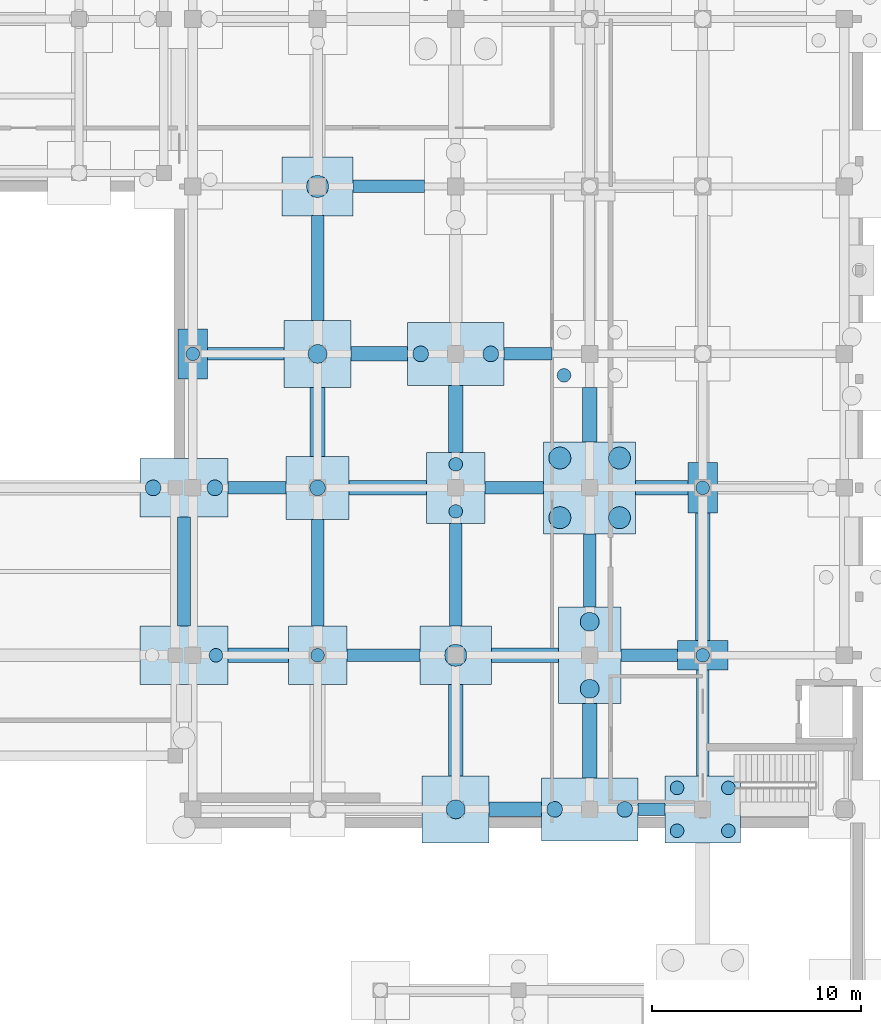
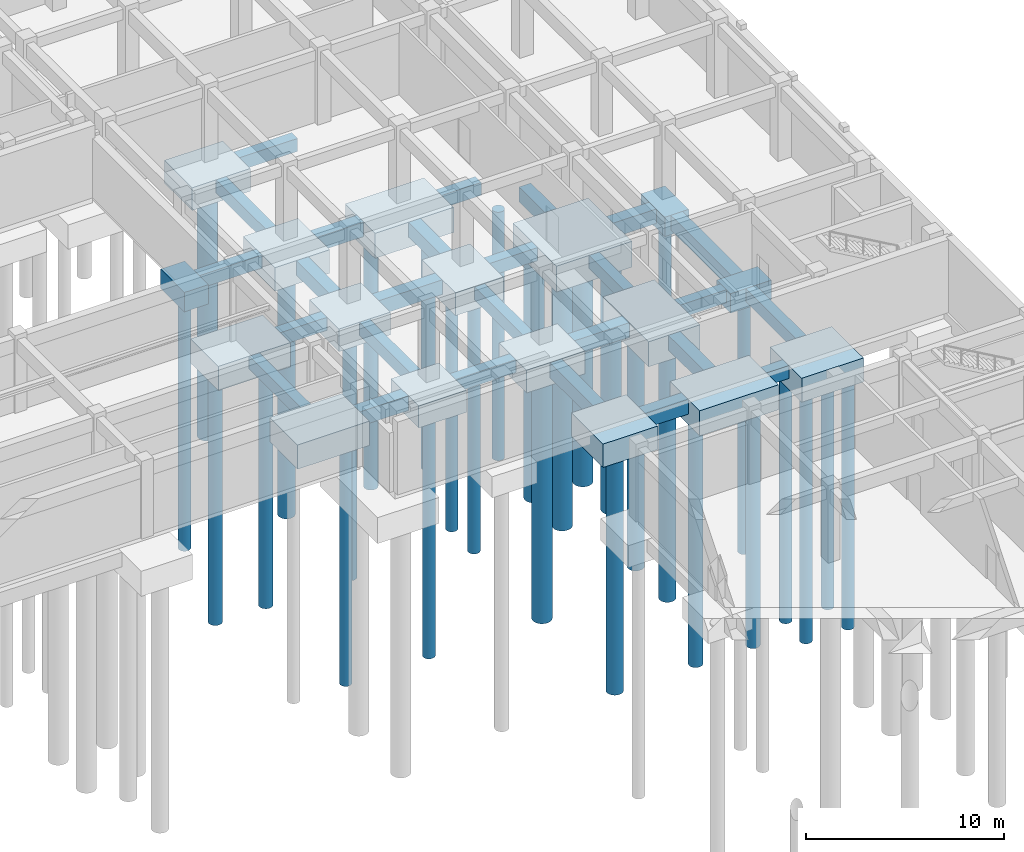
# One storey, part 10 of 35: 43 footings, 29 piles.
"""IFC4 building model written with IfcOpenShell, lengths in metres."""

import ifcopenshell
import ifcopenshell.guid

model = None  # the IFC model being written
_history = None  # IfcOwnerHistory: only IFC2X3 demands one
_inside = {}  # id of a spatial element -> (the spatial element, [elements in it])
_under = {}  # id of a project, library or spatial element -> (it, [spatial elements below it])
_declared = {}  # id of a project -> (the project, [libraries it declares])
_typed = {}  # id of a type object -> (the type object, [elements of that type])
_made_of = {}  # id of a material, layer set ... -> (it, [elements and type objects made of it])


def new_model(schema):
    """Start an empty IFC model of exactly this schema.

    Asked for "IFC4X3", IfcOpenShell would pick the latest addendum, in which some entities
    have other attributes; the version numbers below select the first issue.
    IFC2X3 requires an IfcOwnerHistory on every rooted entity: one is made here for all.
    """
    global model, _history
    if schema == "IFC4X3":
        model = ifcopenshell.file(schema_version=(4, 3, 0, 0))
    else:
        model = ifcopenshell.file(schema=schema)
    _inside.clear()
    _under.clear()
    _declared.clear()
    _typed.clear()
    _made_of.clear()
    _history = None
    if model.schema == "IFC2X3":
        org = make("IfcOrganization", Name="unknown")
        user = make(
            "IfcPersonAndOrganization",
            ThePerson=make("IfcPerson", FamilyName="unknown"),
            TheOrganization=org,
        )
        app = make(
            "IfcApplication",
            ApplicationDeveloper=org,
            Version="unknown",
            ApplicationFullName="unknown",
            ApplicationIdentifier="unknown",
        )
        _history = make(
            "IfcOwnerHistory",
            OwningUser=user,
            OwningApplication=app,
            ChangeAction="ADDED",
            CreationDate=0,
        )
    return model


def make(cls, **values):
    """One entity of the class cls with the attributes given. An attribute that is None is left unset."""
    return model.create_entity(
        cls, **{name: value for name, value in values.items() if value is not None}
    )


def rooted(cls, **values):
    """An entity with a GlobalId (a new one), such as an element, a storey or a relation."""
    return make(cls, GlobalId=ifcopenshell.guid.new(), OwnerHistory=_history, **values)


def si_unit(unit_type, name, prefix=None):
    """IfcSIUnit, for example si_unit("LENGTHUNIT", "METRE", prefix="MILLI")."""
    return make("IfcSIUnit", UnitType=unit_type, Prefix=prefix, Name=name)


def assignment(units):
    """IfcUnitAssignment: the units of a project."""
    return None if units is None else make("IfcUnitAssignment", Units=units)


def point(xyz):
    """IfcCartesianPoint."""
    return None if xyz is None else make("IfcCartesianPoint", Coordinates=xyz)


def direction(xyz):
    """IfcDirection."""
    return None if xyz is None else make("IfcDirection", DirectionRatios=xyz)


def frame(location, z_axis=None, x_axis=None):
    """IfcAxis2Placement3D, a coordinate frame: its origin and axes. An axis left out is left unset."""
    return make(
        "IfcAxis2Placement3D",
        Location=point(location),
        Axis=direction(z_axis),
        RefDirection=direction(x_axis),
    )


def frame_2d(location, x_axis=None):
    """IfcAxis2Placement2D, a coordinate frame in the plane: its origin and x axis."""
    return make(
        "IfcAxis2Placement2D", Location=point(location), RefDirection=direction(x_axis)
    )


def origin():
    """The frame at (0, 0, 0) with its axes left unset."""
    return frame((0.0, 0.0, 0.0))


def origin_2d():
    """The frame at (0, 0) in the plane with its x axis left unset."""
    return frame_2d((0.0, 0.0))


def place(relative_to, where):
    """IfcLocalPlacement: puts the frame where relative to a parent placement (None: the world)."""
    return make(
        "IfcLocalPlacement", PlacementRelTo=relative_to, RelativePlacement=where
    )


def context(
    kind, dimensions, precision=None, world=None, true_north=None, identifier=None
):
    """IfcGeometricRepresentationContext, for example the 3D "Model" context."""
    return make(
        "IfcGeometricRepresentationContext",
        ContextIdentifier=identifier,
        ContextType=kind,
        CoordinateSpaceDimension=dimensions,
        Precision=precision,
        WorldCoordinateSystem=world,
        TrueNorth=true_north,
    )


def subcontext(parent, identifier, kind, view, scale=None):
    """IfcGeometricRepresentationSubContext, for example "Body" below "Model"."""
    return make(
        "IfcGeometricRepresentationSubContext",
        ContextIdentifier=identifier,
        ContextType=kind,
        ParentContext=parent,
        TargetScale=scale,
        TargetView=view,
    )


def project(units=None, contexts=None):
    """IfcProject with its units and contexts."""
    return rooted(
        "IfcProject",
        Name="project",
        RepresentationContexts=contexts,
        UnitsInContext=assignment(units),
    )


def spatial(cls, under=None, at=None, **own):
    """A site, building, storey or space (cls), placed at a placement, below another one or the project."""
    s = rooted(cls, ObjectPlacement=at, **own)
    if under is not None:
        _under.setdefault(under.id(), (under, []))[1].append(s)
    return s


def polyline(points):
    """IfcPolyline through the points."""
    return make("IfcPolyline", Points=[point(p) for p in points])


def profile(cls, at=None, kind="AREA", **sizes):
    """A parametric profile (cls). Its sizes go by their IFC names, for example OverallWidth=200.0."""
    return make(cls, ProfileType=kind, Position=at, **sizes)


def rectangle(**sizes):
    """IfcRectangleProfileDef."""
    return profile("IfcRectangleProfileDef", **sizes)


def circle(**sizes):
    """IfcCircleProfileDef."""
    return profile("IfcCircleProfileDef", **sizes)


def outline(outer, holes=None, kind="AREA"):
    """IfcArbitraryClosedProfileDef: a profile drawn as a closed curve; with holes, ...WithVoids."""
    if holes is None:
        return make("IfcArbitraryClosedProfileDef", ProfileType=kind, OuterCurve=outer)
    return make(
        "IfcArbitraryProfileDefWithVoids",
        ProfileType=kind,
        OuterCurve=outer,
        InnerCurves=holes,
    )


def extrude(swept, where, along, depth):
    """IfcExtrudedAreaSolid: the profile swept, set in the frame where, extruded along a direction by depth."""
    return make(
        "IfcExtrudedAreaSolid",
        SweptArea=swept,
        Position=where,
        ExtrudedDirection=direction(along),
        Depth=depth,
    )


def shape(context_of_items, identifier, shape_type, items):
    """IfcShapeRepresentation: the items that make up one representation, for example the "Body"."""
    return make(
        "IfcShapeRepresentation",
        ContextOfItems=context_of_items,
        RepresentationIdentifier=identifier,
        RepresentationType=shape_type,
        Items=items,
    )


def material(Name=None, Category=None):
    """IfcMaterial."""
    return make("IfcMaterial", Name=Name, Category=Category)


def layer(
    of_material, thickness, ventilated=None, Name=None, Category=None, Priority=None
):
    """IfcMaterialLayer: one layer of a wall or slab, of a material (None: an air gap)."""
    return make(
        "IfcMaterialLayer",
        Material=of_material,
        LayerThickness=thickness,
        IsVentilated=ventilated,
        Name=Name,
        Category=Category,
        Priority=Priority,
    )


def layer_set(layers, Name=None):
    """IfcMaterialLayerSet."""
    return make("IfcMaterialLayerSet", MaterialLayers=layers, LayerSetName=Name)


def material_profile(
    of_material, cross_section, Name=None, Category=None, Priority=None
):
    """IfcMaterialProfile: a cross section and its material."""
    return make(
        "IfcMaterialProfile",
        Name=Name,
        Material=of_material,
        Profile=cross_section,
        Priority=Priority,
        Category=Category,
    )


def profile_set(profiles, Name=None, composite=None):
    """IfcMaterialProfileSet."""
    return make(
        "IfcMaterialProfileSet",
        Name=Name,
        MaterialProfiles=profiles,
        CompositeProfile=composite,
    )


def made_of(thing, what):
    """Note that an element or type object is made of a material, layer set ...; save() writes the relation."""
    if what is not None:
        _made_of.setdefault(what.id(), (what, []))[1].append(thing)
    return thing


def type_object(cls, material=None, **own):
    """A type object (cls), such as IfcWallType, which elements share."""
    return made_of(rooted(cls, **own), material)


def element(
    cls,
    number,
    at=None,
    inside=None,
    cuts=None,
    type_object=None,
    material=None,
    context=None,
    identifier="Body",
    shape_type=None,
    held_by="IfcProductDefinitionShape",
    body=None,
    shapes=None,
    **own,
):
    """One element of the class cls, such as IfcWall. Its Tag is "e" and its number.

    at: its placement. inside: the storey or other place that contains it. cuts: it is an
    opening in that element (IfcRelVoidsElement). A single representation is given by context,
    identifier, shape_type and body (its items); several are given by shapes. held_by: the class
    of the entity that holds the representations. save() writes the other relations.
    """
    e = rooted(cls, Tag="e%d" % number, ObjectPlacement=at, **own)
    if body is not None:
        shapes = [shape(context, identifier, shape_type, body)]
    if shapes is not None:
        e.Representation = make(held_by, Representations=shapes)
    if inside is not None:
        _inside.setdefault(inside.id(), (inside, []))[1].append(e)
    if cuts is not None:
        rooted(
            "IfcRelVoidsElement", RelatingBuildingElement=cuts, RelatedOpeningElement=e
        )
    if type_object is not None:
        _typed.setdefault(type_object.id(), (type_object, []))[1].append(e)
    return made_of(e, material)


def aggregate(whole, parts):
    """IfcRelAggregates: a whole, such as a stair, and the parts it consists of."""
    return rooted("IfcRelAggregates", RelatingObject=whole, RelatedObjects=parts)


def save(model, path):
    """Write the relations noted so far, then the file.

    IfcRelAggregates (storeys below a building ...), IfcRelContainedInSpatialStructure (elements
    in a storey), IfcRelDefinesByType, IfcRelAssociatesMaterial and IfcRelDeclares: one each for
    every whole, place, type object, material and project.
    """
    for whole, parts in _under.values():
        aggregate(whole, parts)
    for where, things in _inside.values():
        rooted(
            "IfcRelContainedInSpatialStructure",
            RelatedElements=things,
            RelatingStructure=where,
        )
    for kind, things in _typed.values():
        rooted("IfcRelDefinesByType", RelatedObjects=things, RelatingType=kind)
    for what, things in _made_of.values():
        rooted("IfcRelAssociatesMaterial", RelatedObjects=things, RelatingMaterial=what)
    for by, libraries in _declared.values():
        rooted("IfcRelDeclares", RelatingContext=by, RelatedDefinitions=libraries)
    model.write(path)


model = new_model("IFC4")

# Units and contexts
model_context = context("Model", 3, precision=1e-05, world=origin(), true_north=direction((0.0, 1.0)))
body_context = subcontext(model_context, "Body", "Model", "MODEL_VIEW")
ifc_project = project(units=[si_unit("LENGTHUNIT", "METRE"), si_unit("AREAUNIT", "SQUARE_METRE"), si_unit("VOLUMEUNIT", "CUBIC_METRE"), si_unit("PLANEANGLEUNIT", "RADIAN"), si_unit("MASSUNIT", "GRAM", prefix="KILO")], contexts=[model_context])

# Site, building, storey
site_placement = place(None, origin())
site = spatial("IfcSite", under=ifc_project, at=site_placement, CompositionType="ELEMENT")
building_placement = place(site_placement, origin())
building = spatial("IfcBuilding", under=site, at=building_placement, Name="Cinchona Park Media Centre", CompositionType="ELEMENT")
storey_placement = place(building_placement, frame((0.0, 0.0, -4.800048828125)))
storey = spatial("IfcBuildingStorey", under=building, at=storey_placement, Name="B1", CompositionType="ELEMENT", Elevation=-4.800048828125)

# Footings
ifc_material_1 = material(Name="Concrete C40/50", Category="concrete")
ifc_layer_1 = layer(ifc_material_1, 0.800048828125)
ifc_layer_set_1 = layer_set([ifc_layer_1], Name="Concrete C40/50")
footing_type_1 = type_object("IfcFootingType", Name="FTG-BEAM-FB01", PredefinedType="FOOTING_BEAM", material=ifc_layer_set_1)
footing_1_placement = place(storey_placement, frame((0.0, 0.0, -1.280029296875)))
element("IfcFooting", 1, at=footing_1_placement, inside=storey, type_object=footing_type_1, Name="Ground Tie Beam FB01", PredefinedType="FOOTING_BEAM", context=body_context, shape_type="SweptSolid", body=[
    extrude(outline(polyline([(161.5, 71.93994140625), (162.800048828125, 71.93994140625), (162.800048828125, 72.5400390625), (161.5, 72.5400390625), (161.5, 71.93994140625)])), origin(), (0.0, 0.0, 1.0), 0.800048828125),
])
footing_2_placement = place(storey_placement, frame((0.0, 0.0, -1.280029296875)))
element("IfcFooting", 2, at=footing_2_placement, inside=storey, type_object=footing_type_1, Name="Ground Tie Beam FB01", PredefinedType="FOOTING_BEAM", context=body_context, shape_type="SweptSolid", body=[
    extrude(outline(polyline([(147.60009765625, 79.300048828125), (151.10009765625, 79.300048828125), (151.10009765625, 79.89990234375), (147.60009765625, 79.89990234375), (147.60009765625, 79.300048828125)])), origin(), (0.0, 0.0, 1.0), 0.800048828125),
])
footing_3_placement = place(storey_placement, frame((0.0, 0.0, -1.280029296875)))
element("IfcFooting", 3, at=footing_3_placement, inside=storey, type_object=footing_type_1, Name="Ground Tie Beam FB01", PredefinedType="FOOTING_BEAM", context=body_context, shape_type="SweptSolid", body=[
    extrude(outline(polyline([(160.699951171875, 79.300048828125), (163.39990234375, 79.300048828125), (163.39990234375, 79.89990234375), (160.699951171875, 79.89990234375), (160.699951171875, 79.300048828125)])), origin(), (0.0, 0.0, 1.0), 0.800048828125),
])
footing_4_placement = place(storey_placement, frame((0.0, 0.0, -1.280029296875)))
element("IfcFooting", 4, at=footing_4_placement, inside=storey, type_object=footing_type_1, Name="Ground Tie Beam FB01", PredefinedType="FOOTING_BEAM", context=body_context, shape_type="SweptSolid", body=[
    extrude(outline(polyline([(141.919921875, 87.300048828125), (144.699951171875, 87.300048828125), (144.699951171875, 87.89990234375), (141.919921875, 87.89990234375), (141.919921875, 87.300048828125)])), origin(), (0.0, 0.0, 1.0), 0.800048828125),
])
footing_5_placement = place(storey_placement, frame((0.0, 0.0, -1.280029296875)))
element("IfcFooting", 5, at=footing_5_placement, inside=storey, type_object=footing_type_1, Name="Ground Tie Beam FB01", PredefinedType="FOOTING_BEAM", context=body_context, shape_type="SweptSolid", body=[
    extrude(outline(polyline([(154.199951171875, 87.300048828125), (157.0, 87.300048828125), (157.0, 87.89990234375), (154.199951171875, 87.89990234375), (154.199951171875, 87.300048828125)])), origin(), (0.0, 0.0, 1.0), 0.800048828125),
])
footing_6_placement = place(storey_placement, frame((0.0, 0.0, -1.280029296875)))
element("IfcFooting", 6, at=footing_6_placement, inside=storey, type_object=footing_type_1, Name="Ground Tie Beam FB01", PredefinedType="FOOTING_BEAM", context=body_context, shape_type="SweptSolid", body=[
    extrude(outline(polyline([(140.93994140625, 93.699951171875), (144.60009765625, 93.699951171875), (144.60009765625, 94.300048828125), (140.93994140625, 94.300048828125), (140.93994140625, 93.699951171875)])), origin(), (0.0, 0.0, 1.0), 0.800048828125),
])
footing_7_placement = place(storey_placement, frame((0.0, 0.0, -1.280029296875)))
element("IfcFooting", 7, at=footing_7_placement, inside=storey, type_object=footing_type_1, Name="Ground Tie Beam FB01", PredefinedType="FOOTING_BEAM", context=body_context, shape_type="SweptSolid", body=[
    extrude(outline(polyline([(155.10009765625, 93.699951171875), (157.39990234375, 93.699951171875), (157.39990234375, 94.300048828125), (155.10009765625, 94.300048828125), (155.10009765625, 93.699951171875)])), origin(), (0.0, 0.0, 1.0), 0.800048828125),
])
footing_8_placement = place(storey_placement, frame((0.0, 0.0, -1.280029296875)))
element("IfcFooting", 8, at=footing_8_placement, inside=storey, type_object=footing_type_1, Name="Ground Tie Beam FB01", PredefinedType="FOOTING_BEAM", context=body_context, shape_type="SweptSolid", body=[
    extrude(outline(polyline([(147.89990234375, 101.699951171875), (151.300048828125, 101.699951171875), (151.300048828125, 102.300048828125), (147.89990234375, 102.300048828125), (147.89990234375, 101.699951171875)])), origin(), (0.0, 0.0, 1.0), 0.800048828125),
])
footing_9_placement = place(storey_placement, frame((0.0, 0.0, -1.199951171875)))
element("IfcFooting", 9, at=footing_9_placement, inside=storey, type_object=footing_type_1, Name="Ground Tie Beam FB01", PredefinedType="FOOTING_BEAM", context=body_context, shape_type="SweptSolid", body=[
    extrude(outline(polyline([(139.52001953125, 81.0), (140.1201171875, 81.0), (140.1201171875, 86.199951171875), (139.52001953125, 86.199951171875), (139.52001953125, 81.0)])), origin(), (0.0, 0.0, 1.0), 0.800048828125),
])
footing_10_placement = place(storey_placement, frame((0.0, 0.0, -1.280029296875)))
element("IfcFooting", 10, at=footing_10_placement, inside=storey, type_object=footing_type_1, Name="Ground Tie Beam FB01", PredefinedType="FOOTING_BEAM", context=body_context, shape_type="SweptSolid", body=[
    extrude(outline(polyline([(145.89990234375, 81.0), (146.5, 81.0), (146.5, 86.10009765625), (145.89990234375, 86.10009765625), (145.89990234375, 81.0)])), origin(), (0.0, 0.0, 1.0), 0.800048828125),
])
footing_11_placement = place(storey_placement, frame((0.0, 0.0, -1.280029296875)))
element("IfcFooting", 11, at=footing_11_placement, inside=storey, type_object=footing_type_1, Name="Ground Tie Beam FB01", PredefinedType="FOOTING_BEAM", context=body_context, shape_type="SweptSolid", body=[
    extrude(outline(polyline([(145.89990234375, 95.60009765625), (146.5, 95.60009765625), (146.5, 100.60009765625), (145.89990234375, 100.60009765625), (145.89990234375, 95.60009765625)])), origin(), (0.0, 0.0, 1.0), 0.800048828125),
])
footing_12_placement = place(storey_placement, frame((0.0, 0.0, -1.280029296875)))
element("IfcFooting", 12, at=footing_12_placement, inside=storey, type_object=footing_type_1, Name="Ground Tie Beam FB01", PredefinedType="FOOTING_BEAM", context=body_context, shape_type="SweptSolid", body=[
    extrude(outline(polyline([(152.5, 81.0), (153.10009765625, 81.0), (153.10009765625, 85.89990234375), (152.5, 85.89990234375), (152.5, 81.0)])), origin(), (0.0, 0.0, 1.0), 0.800048828125),
])
footing_13_placement = place(storey_placement, frame((0.0, 0.0, -1.280029296875)))
element("IfcFooting", 13, at=footing_13_placement, inside=storey, type_object=footing_type_1, Name="Ground Tie Beam FB01", PredefinedType="FOOTING_BEAM", context=body_context, shape_type="SweptSolid", body=[
    extrude(outline(polyline([(158.89990234375, 81.89990234375), (159.5, 81.89990234375), (159.5, 85.39990234375), (158.89990234375, 85.39990234375), (158.89990234375, 81.89990234375)])), origin(), (0.0, 0.0, 1.0), 0.800048828125),
])
footing_14_placement = place(storey_placement, frame((0.0, 0.0, -1.280029296875)))
element("IfcFooting", 14, at=footing_14_placement, inside=storey, type_object=footing_type_1, Name="Ground Tie Beam FB01", PredefinedType="FOOTING_BEAM", context=body_context, shape_type="SweptSolid", body=[
    extrude(outline(polyline([(164.300048828125, 73.840087890625), (164.89990234375, 73.840087890625), (164.89990234375, 78.89990234375), (164.300048828125, 78.89990234375), (164.300048828125, 73.840087890625)])), origin(), (0.0, 0.0, 1.0), 0.800048828125),
])
ifc_material_2 = material(Name="Concrete C40/50", Category="concrete")
ifc_layer_2 = layer(ifc_material_2, 0.89990234375)
ifc_layer_set_2 = layer_set([ifc_layer_2], Name="Concrete C40/50")
footing_type_2 = type_object("IfcFootingType", Name="FTG-BEAM-FB02", PredefinedType="FOOTING_BEAM", material=ifc_layer_set_2)
footing_15_placement = place(storey_placement, frame((0.0, 0.0, -1.3798828125)))
element("IfcFooting", 15, at=footing_15_placement, inside=storey, type_object=footing_type_2, Name="Ground Tie Beam FB02", PredefinedType="FOOTING_BEAM", context=body_context, shape_type="SweptSolid", body=[
    extrude(outline(polyline([(154.39990234375, 71.889892578125), (156.89990234375, 71.889892578125), (156.89990234375, 72.590087890625), (154.39990234375, 72.590087890625), (154.39990234375, 71.889892578125)])), origin(), (0.0, 0.0, 1.0), 0.89990234375),
])
footing_16_placement = place(storey_placement, frame((0.0, 0.0, -1.3798828125)))
element("IfcFooting", 16, at=footing_16_placement, inside=storey, type_object=footing_type_2, Name="Ground Tie Beam FB02", PredefinedType="FOOTING_BEAM", context=body_context, shape_type="SweptSolid", body=[
    extrude(outline(polyline([(141.919921875, 79.25), (144.800048828125, 79.25), (144.800048828125, 79.949951171875), (141.919921875, 79.949951171875), (141.919921875, 79.25)])), origin(), (0.0, 0.0, 1.0), 0.89990234375),
])
footing_17_placement = place(storey_placement, frame((0.0, 0.0, -1.3798828125)))
element("IfcFooting", 17, at=footing_17_placement, inside=storey, type_object=footing_type_2, Name="Ground Tie Beam FB02", PredefinedType="FOOTING_BEAM", context=body_context, shape_type="SweptSolid", body=[
    extrude(outline(polyline([(154.5, 79.25), (157.699951171875, 79.25), (157.699951171875, 79.949951171875), (154.5, 79.949951171875), (154.5, 79.25)])), origin(), (0.0, 0.0, 1.0), 0.89990234375),
])
footing_18_placement = place(storey_placement, frame((0.0, 0.0, -1.3798828125)))
element("IfcFooting", 18, at=footing_18_placement, inside=storey, type_object=footing_type_2, Name="Ground Tie Beam FB02", PredefinedType="FOOTING_BEAM", context=body_context, shape_type="SweptSolid", body=[
    extrude(outline(polyline([(147.699951171875, 87.25), (151.39990234375, 87.25), (151.39990234375, 87.949951171875), (147.699951171875, 87.949951171875), (147.699951171875, 87.25)])), origin(), (0.0, 0.0, 1.0), 0.89990234375),
])
footing_19_placement = place(storey_placement, frame((0.0, 0.0, -1.3798828125)))
element("IfcFooting", 19, at=footing_19_placement, inside=storey, type_object=footing_type_2, Name="Ground Tie Beam FB02", PredefinedType="FOOTING_BEAM", context=body_context, shape_type="SweptSolid", body=[
    extrude(outline(polyline([(161.39990234375, 87.25), (163.89990234375, 87.25), (163.89990234375, 87.949951171875), (161.39990234375, 87.949951171875), (161.39990234375, 87.25)])), origin(), (0.0, 0.0, 1.0), 0.89990234375),
])
footing_20_placement = place(storey_placement, frame((0.0, 0.0, -1.3798828125)))
element("IfcFooting", 20, at=footing_20_placement, inside=storey, type_object=footing_type_2, Name="Ground Tie Beam FB02", PredefinedType="FOOTING_BEAM", context=body_context, shape_type="SweptSolid", body=[
    extrude(outline(polyline([(147.800048828125, 93.64990234375), (150.5, 93.64990234375), (150.5, 94.35009765625), (147.800048828125, 94.35009765625), (147.800048828125, 93.64990234375)])), origin(), (0.0, 0.0, 1.0), 0.89990234375),
])
footing_21_placement = place(storey_placement, frame((0.0, 0.0, -1.3798828125)))
element("IfcFooting", 21, at=footing_21_placement, inside=storey, type_object=footing_type_2, Name="Ground Tie Beam FB02", PredefinedType="FOOTING_BEAM", context=body_context, shape_type="SweptSolid", body=[
    extrude(outline(polyline([(145.85009765625, 89.10009765625), (146.550048828125, 89.10009765625), (146.550048828125, 92.39990234375), (145.85009765625, 92.39990234375), (145.85009765625, 89.10009765625)])), origin(), (0.0, 0.0, 1.0), 0.89990234375),
])
footing_22_placement = place(storey_placement, frame((0.0, 0.0, -1.3798828125)))
element("IfcFooting", 22, at=footing_22_placement, inside=storey, type_object=footing_type_2, Name="Ground Tie Beam FB02", PredefinedType="FOOTING_BEAM", context=body_context, shape_type="SweptSolid", body=[
    extrude(outline(polyline([(152.449951171875, 73.840087890625), (153.14990234375, 73.840087890625), (153.14990234375, 78.199951171875), (152.449951171875, 78.199951171875), (152.449951171875, 73.840087890625)])), origin(), (0.0, 0.0, 1.0), 0.89990234375),
])
footing_23_placement = place(storey_placement, frame((0.0, 0.0, -1.3798828125)))
element("IfcFooting", 23, at=footing_23_placement, inside=storey, type_object=footing_type_2, Name="Ground Tie Beam FB02", PredefinedType="FOOTING_BEAM", context=body_context, shape_type="SweptSolid", body=[
    extrude(outline(polyline([(152.449951171875, 89.300048828125), (153.14990234375, 89.300048828125), (153.14990234375, 92.5), (152.449951171875, 92.5), (152.449951171875, 89.300048828125)])), origin(), (0.0, 0.0, 1.0), 0.89990234375),
])
footing_24_placement = place(storey_placement, frame((0.0, 0.0, -1.3798828125)))
element("IfcFooting", 24, at=footing_24_placement, inside=storey, type_object=footing_type_2, Name="Ground Tie Beam FB02", PredefinedType="FOOTING_BEAM", context=body_context, shape_type="SweptSolid", body=[
    extrude(outline(polyline([(158.85009765625, 73.739990234375), (159.550048828125, 73.739990234375), (159.550048828125, 77.300048828125), (158.85009765625, 77.300048828125), (158.85009765625, 73.739990234375)])), origin(), (0.0, 0.0, 1.0), 0.89990234375),
])
footing_25_placement = place(storey_placement, frame((0.0, 0.0, -1.3798828125)))
element("IfcFooting", 25, at=footing_25_placement, inside=storey, type_object=footing_type_2, Name="Ground Tie Beam FB02", PredefinedType="FOOTING_BEAM", context=body_context, shape_type="SweptSolid", body=[
    extrude(outline(polyline([(158.85009765625, 89.800048828125), (159.550048828125, 89.800048828125), (159.550048828125, 92.39990234375), (158.85009765625, 92.39990234375), (158.85009765625, 89.800048828125)])), origin(), (0.0, 0.0, 1.0), 0.89990234375),
])
footing_26_placement = place(storey_placement, frame((0.0, 0.0, -1.3798828125)))
element("IfcFooting", 26, at=footing_26_placement, inside=storey, type_object=footing_type_2, Name="Ground Tie Beam FB02", PredefinedType="FOOTING_BEAM", context=body_context, shape_type="SweptSolid", body=[
    extrude(outline(polyline([(164.25, 80.300048828125), (164.949951171875, 80.300048828125), (164.949951171875, 86.39990234375), (164.25, 86.39990234375), (164.25, 80.300048828125)])), origin(), (0.0, 0.0, 1.0), 0.89990234375),
])

# Piles
ifc_material_3 = material(Name="Concrete C40/50", Category="concrete")
ifc_material_profile_1 = material_profile(ifc_material_3, circle(Radius=0.52490234375, at=origin_2d()), Name="BORED PILE 1050")
ifc_profile_set_1 = profile_set([ifc_material_profile_1], Name="Concrete C40/50")
pile_type_1 = type_object("IfcPileType", Name="PILE-BP1050", PredefinedType="BORED", material=ifc_profile_set_1)
for number, where, z_axis, x_axis, name in (
    (27, (146.199951171875, 102.0, -1.780029296875), (0.0, 0.0, -1.0), (1.0, 0.0, 0.0), "Bored Pile P1050"),
    (28, (152.800048828125, 79.60009765625, -1.780029296875), (0.0, 0.0, -1.0), (1.0, 0.0, 0.0), "Bored Pile P1050"),
):
    element("IfcPile", number, at=place(storey_placement, frame(where, z_axis=z_axis, x_axis=x_axis)), inside=storey, type_object=pile_type_1, Name=name, PredefinedType="BORED", context=body_context, shape_type="SweptSolid", body=[
        extrude(circle(Radius=0.52490234375, at=origin_2d()), origin(), (0.0, 0.0, 1.0), 15.419921875),
    ])
for number, where, z_axis, x_axis, name in (
    (29, (157.77490234375, 86.175048828125, -1.97998046875), (0.0, 0.0, -1.0), (1.0, 0.0, 0.0), "Bored Pile P1050"),
    (30, (157.77490234375, 89.02490234375, -1.97998046875), (0.0, 0.0, -1.0), (1.0, 0.0, 0.0), "Bored Pile P1050"),
    (31, (160.625, 86.175048828125, -1.97998046875), (0.0, 0.0, -1.0), (1.0, 0.0, 0.0), "Bored Pile P1050"),
    (32, (160.625, 89.02490234375, -1.97998046875), (0.0, 0.0, -1.0), (1.0, 0.0, 0.0), "Bored Pile P1050"),
):
    element("IfcPile", number, at=place(storey_placement, frame(where, z_axis=z_axis, x_axis=x_axis)), inside=storey, type_object=pile_type_1, Name=name, PredefinedType="BORED", context=body_context, shape_type="SweptSolid", body=[
        extrude(circle(Radius=0.52490234375, at=origin_2d()), origin(), (0.0, 0.0, 1.0), 15.219970703125),
    ])
ifc_material_4 = material(Name="Concrete C40/50", Category="concrete")
ifc_material_profile_2 = material_profile(ifc_material_4, circle(Radius=0.324951171875, at=origin_2d()), Name="BORED PILE 650")
ifc_profile_set_2 = profile_set([ifc_material_profile_2], Name="Concrete C40/50")
pile_type_2 = type_object("IfcPileType", Name="PILE-BP650", PredefinedType="BORED", material=ifc_profile_set_2)
pile_1_placement = place(storey_placement, frame((141.344970703125, 79.60009765625, -1.800048828125), z_axis=(0.0, 0.0, -1.0), x_axis=(1.0, 0.0, 0.0)))
element("IfcPile", 33, at=pile_1_placement, inside=storey, type_object=pile_type_2, Name="Bored Pile P650", PredefinedType="BORED", context=body_context, shape_type="SweptSolid", body=[
    extrude(circle(Radius=0.324951171875, at=origin_2d()), origin(), (0.0, 0.0, 1.0), 15.39990234375),
])
pile_2_placement = place(storey_placement, frame((140.239990234375, 94.0, -1.579833984375), z_axis=(0.0, 0.0, -1.0), x_axis=(1.0, 0.0, 0.0)))
element("IfcPile", 34, at=pile_2_placement, inside=storey, type_object=pile_type_2, Name="Bored Pile P650", PredefinedType="BORED", context=body_context, shape_type="SweptSolid", body=[
    extrude(circle(Radius=0.324951171875, at=origin_2d()), origin(), (0.0, 0.0, 1.0), 15.6201171875),
])
pile_3_placement = place(storey_placement, frame((146.199951171875, 79.60009765625, -1.72998046875), z_axis=(0.0, 0.0, -1.0), x_axis=(1.0, 0.0, 0.0)))
element("IfcPile", 35, at=pile_3_placement, inside=storey, type_object=pile_type_2, Name="Bored Pile P650", PredefinedType="BORED", context=body_context, shape_type="SweptSolid", body=[
    extrude(circle(Radius=0.324951171875, at=origin_2d()), origin(), (0.0, 0.0, 1.0), 15.469970703125),
])
for number, where, z_axis, x_axis, name in (
    (36, (152.800048828125, 86.47509765625, -1.780029296875), (0.0, 0.0, -1.0), (1.0, 0.0, 0.0), "Bored Pile P650"),
    (37, (152.800048828125, 88.72509765625, -1.780029296875), (0.0, 0.0, -1.0), (1.0, 0.0, 0.0), "Bored Pile P650"),
):
    element("IfcPile", number, at=place(storey_placement, frame(where, z_axis=z_axis, x_axis=x_axis)), inside=storey, type_object=pile_type_2, Name=name, PredefinedType="BORED", context=body_context, shape_type="SweptSolid", body=[
        extrude(circle(Radius=0.324951171875, at=origin_2d()), origin(), (0.0, 0.0, 1.0), 15.419921875),
    ])
for number, where, z_axis, x_axis, name in (
    (38, (157.97509765625, 92.97509765625, -1.85986328125), (0.0, 0.0, -1.0), (1.0, 0.0, 0.0), "Bored Pile P650"),
    (39, (163.375, 71.215087890625, -1.85986328125), (0.0, 0.0, -1.0), (1.0, 0.0, 0.0), "Bored Pile P650"),
    (40, (163.375, 73.264892578125, -1.85986328125), (0.0, 0.0, -1.0), (1.0, 0.0, 0.0), "Bored Pile P650"),
    (41, (165.824951171875, 71.215087890625, -1.85986328125), (0.0, 0.0, -1.0), (1.0, 0.0, 0.0), "Bored Pile P650"),
    (42, (165.824951171875, 73.264892578125, -1.85986328125), (0.0, 0.0, -1.0), (1.0, 0.0, 0.0), "Bored Pile P650"),
):
    element("IfcPile", number, at=place(storey_placement, frame(where, z_axis=z_axis, x_axis=x_axis)), inside=storey, type_object=pile_type_2, Name=name, PredefinedType="BORED", context=body_context, shape_type="SweptSolid", body=[
        extrude(circle(Radius=0.324951171875, at=origin_2d()), origin(), (0.0, 0.0, 1.0), 15.340087890625),
    ])
for number, where, z_axis, x_axis, name in (
    (43, (164.60009765625, 79.60009765625, -1.579833984375), (0.0, 0.0, -1.0), (1.0, 0.0, 0.0), "Bored Pile P650"),
    (44, (164.60009765625, 87.60009765625, -1.579833984375), (0.0, 0.0, -1.0), (1.0, 0.0, 0.0), "Bored Pile P650"),
):
    element("IfcPile", number, at=place(storey_placement, frame(where, z_axis=z_axis, x_axis=x_axis)), inside=storey, type_object=pile_type_2, Name=name, PredefinedType="BORED", context=body_context, shape_type="SweptSolid", body=[
        extrude(circle(Radius=0.324951171875, at=origin_2d()), origin(), (0.0, 0.0, 1.0), 15.6201171875),
    ])
ifc_material_5 = material(Name="Concrete C40/50", Category="concrete")
ifc_material_profile_3 = material_profile(ifc_material_5, circle(Radius=0.375, at=origin_2d()), Name="BORED PILE 750")
ifc_profile_set_3 = profile_set([ifc_material_profile_3], Name="Concrete C40/50")
pile_type_3 = type_object("IfcPileType", Name="PILE-BP750", PredefinedType="BORED", material=ifc_profile_set_3)
for number, where, z_axis, x_axis, name in (
    (45, (138.344970703125, 87.60009765625, -1.800048828125), (0.0, 0.0, -1.0), (1.0, 0.0, 0.0), "Bored Pile P750"),
    (46, (141.294921875, 87.60009765625, -1.800048828125), (0.0, 0.0, -1.0), (1.0, 0.0, 0.0), "Bored Pile P750"),
):
    element("IfcPile", number, at=place(storey_placement, frame(where, z_axis=z_axis, x_axis=x_axis)), inside=storey, type_object=pile_type_3, Name=name, PredefinedType="BORED", context=body_context, shape_type="SweptSolid", body=[
        extrude(circle(Radius=0.375, at=origin_2d()), origin(), (0.0, 0.0, 1.0), 15.39990234375),
    ])
pile_4_placement = place(storey_placement, frame((146.199951171875, 87.60009765625, -1.780029296875), z_axis=(0.0, 0.0, -1.0), x_axis=(1.0, 0.0, 0.0)))
element("IfcPile", 47, at=pile_4_placement, inside=storey, type_object=pile_type_3, Name="Bored Pile P750", PredefinedType="BORED", context=body_context, shape_type="SweptSolid", body=[
    extrude(circle(Radius=0.375, at=origin_2d()), origin(), (0.0, 0.0, 1.0), 15.419921875),
])
for number, where, z_axis, x_axis, name in (
    (48, (151.125, 94.0, -1.929931640625), (0.0, 0.0, -1.0), (1.0, 0.0, 0.0), "Bored Pile P750"),
    (49, (154.47509765625, 94.0, -1.929931640625), (0.0, 0.0, -1.0), (1.0, 0.0, 0.0), "Bored Pile P750"),
    (50, (157.52490234375, 72.239990234375, -1.929931640625), (0.0, 0.0, -1.0), (1.0, 0.0, 0.0), "Bored Pile P750"),
    (51, (160.875, 72.239990234375, -1.929931640625), (0.0, 0.0, -1.0), (1.0, 0.0, 0.0), "Bored Pile P750"),
):
    element("IfcPile", number, at=place(storey_placement, frame(where, z_axis=z_axis, x_axis=x_axis)), inside=storey, type_object=pile_type_3, Name=name, PredefinedType="BORED", context=body_context, shape_type="SweptSolid", body=[
        extrude(circle(Radius=0.375, at=origin_2d()), origin(), (0.0, 0.0, 1.0), 15.27001953125),
    ])
ifc_material_6 = material(Name="Concrete C40/50", Category="concrete")
ifc_material_profile_4 = material_profile(ifc_material_6, circle(Radius=0.449951171875, at=origin_2d()), Name="BORED PILE 900")
ifc_profile_set_4 = profile_set([ifc_material_profile_4], Name="Concrete C40/50")
pile_type_4 = type_object("IfcPileType", Name="PILE-BP900", PredefinedType="BORED", material=ifc_profile_set_4)
for number, where, z_axis, x_axis, name in (
    (52, (146.199951171875, 94.0, -1.829833984375), (0.0, 0.0, -1.0), (1.0, 0.0, 0.0), "Bored Pile P900"),
    (53, (152.800048828125, 72.239990234375, -1.829833984375), (0.0, 0.0, -1.0), (1.0, 0.0, 0.0), "Bored Pile P900"),
):
    element("IfcPile", number, at=place(storey_placement, frame(where, z_axis=z_axis, x_axis=x_axis)), inside=storey, type_object=pile_type_4, Name=name, PredefinedType="BORED", context=body_context, shape_type="SweptSolid", body=[
        extrude(circle(Radius=0.449951171875, at=origin_2d()), origin(), (0.0, 0.0, 1.0), 15.3701171875),
    ])
for number, where, z_axis, x_axis, name in (
    (54, (159.199951171875, 78.0, -1.929931640625), (0.0, 0.0, -1.0), (1.0, 0.0, 0.0), "Bored Pile P900"),
    (55, (159.199951171875, 81.199951171875, -1.929931640625), (0.0, 0.0, -1.0), (1.0, 0.0, 0.0), "Bored Pile P900"),
):
    element("IfcPile", number, at=place(storey_placement, frame(where, z_axis=z_axis, x_axis=x_axis)), inside=storey, type_object=pile_type_4, Name=name, PredefinedType="BORED", context=body_context, shape_type="SweptSolid", body=[
        extrude(circle(Radius=0.449951171875, at=origin_2d()), origin(), (0.0, 0.0, 1.0), 15.27001953125),
    ])

# Footings
ifc_material_7 = material(Name="Concrete C40/50", Category="concrete")
ifc_layer_3 = layer(ifc_material_7, 1.199951171875)
ifc_layer_set_3 = layer_set([ifc_layer_3], Name="Concrete C40/50")
footing_type_3 = type_object("IfcFootingType", Name="PILE-CAP-PC01", PredefinedType="PILE_CAP", material=ifc_layer_set_3)
footing_27_placement = place(storey_placement, frame((164.60009765625, 79.60009765625, -1.6796875), z_axis=(0.0, 0.0, 1.0), x_axis=(1.0, 0.0, 0.0)))
element("IfcFooting", 56, at=footing_27_placement, inside=storey, type_object=footing_type_3, Name="Pile Cap PC01", PredefinedType="PILE_CAP", context=body_context, shape_type="SweptSolid", body=[
    extrude(rectangle(XDim=2.39990234375, YDim=1.39990234375, at=origin_2d()), origin(), (0.0, 0.0, 1.0), 1.199951171875),
])
ifc_material_8 = material(Name="Concrete C40/50", Category="concrete")
ifc_layer_4 = layer(ifc_material_8, 1.199951171875)
ifc_layer_set_4 = layer_set([ifc_layer_4], Name="Concrete C40/50")
footing_type_4 = type_object("IfcFootingType", Name="PILE-CAP-PC02", PredefinedType="PILE_CAP", material=ifc_layer_set_4)
for number, where, z_axis, x_axis, name in (
    (57, (140.239990234375, 94.0, -1.6796875), (0.0, 0.0, 1.0), (1.0, 0.0, 0.0), "Pile Cap PC02"),
    (58, (164.60009765625, 87.60009765625, -1.6796875), (0.0, 0.0, 1.0), (1.0, 0.0, 0.0), "Pile Cap PC02"),
):
    element("IfcFooting", number, at=place(storey_placement, frame(where, z_axis=z_axis, x_axis=x_axis)), inside=storey, type_object=footing_type_4, Name=name, PredefinedType="PILE_CAP", context=body_context, shape_type="SweptSolid", body=[
        extrude(rectangle(XDim=1.39990234375, YDim=2.39990234375, at=origin_2d()), origin(), (0.0, 0.0, 1.0), 1.199951171875),
    ])
ifc_material_9 = material(Name="Concrete C40/50", Category="concrete")
ifc_layer_5 = layer(ifc_material_9, 1.35009765625)
ifc_layer_set_5 = layer_set([ifc_layer_5], Name="Concrete C40/50")
footing_type_5 = type_object("IfcFootingType", Name="PILE-CAP-PC04", PredefinedType="PILE_CAP", material=ifc_layer_set_5)
footing_28_placement = place(storey_placement, frame((146.199951171875, 79.60009765625, -1.830078125), z_axis=(0.0, 0.0, 1.0), x_axis=(1.0, 0.0, 0.0)))
element("IfcFooting", 59, at=footing_28_placement, inside=storey, type_object=footing_type_5, Name="Pile Cap PC04", PredefinedType="PILE_CAP", context=body_context, shape_type="SweptSolid", body=[
    extrude(rectangle(XDim=2.800048828125, YDim=2.800048828125, at=origin_2d()), origin(), (0.0, 0.0, 1.0), 1.35009765625),
])
ifc_material_10 = material(Name="Concrete C40/50", Category="concrete")
ifc_layer_6 = layer(ifc_material_10, 1.39990234375)
ifc_layer_set_6 = layer_set([ifc_layer_6], Name="Concrete C40/50")
footing_type_6 = type_object("IfcFootingType", Name="PILE-CAP-PC05", PredefinedType="PILE_CAP", material=ifc_layer_set_6)
footing_29_placement = place(storey_placement, frame((146.199951171875, 87.60009765625, -1.8798828125), z_axis=(0.0, 0.0, 1.0), x_axis=(1.0, 0.0, 0.0)))
element("IfcFooting", 60, at=footing_29_placement, inside=storey, type_object=footing_type_6, Name="Pile Cap PC05", PredefinedType="PILE_CAP", context=body_context, shape_type="SweptSolid", body=[
    extrude(rectangle(XDim=3.0, YDim=3.0, at=origin_2d()), origin(), (0.0, 0.0, 1.0), 1.39990234375),
])
ifc_material_11 = material(Name="Concrete C40/50", Category="concrete")
ifc_layer_7 = layer(ifc_material_11, 1.449951171875)
ifc_layer_set_7 = layer_set([ifc_layer_7], Name="Concrete C40/50")
footing_type_7 = type_object("IfcFootingType", Name="PILE-CAP-PC06", PredefinedType="PILE_CAP", material=ifc_layer_set_7)
for number, where, z_axis, x_axis, name in (
    (61, (146.199951171875, 94.0, -1.9296875), (0.0, 0.0, 1.0), (1.0, 0.0, 0.0), "Pile Cap PC06"),
    (62, (152.800048828125, 72.239990234375, -1.9296875), (0.0, 0.0, 1.0), (1.0, 0.0, 0.0), "Pile Cap PC06"),
):
    element("IfcFooting", number, at=place(storey_placement, frame(where, z_axis=z_axis, x_axis=x_axis)), inside=storey, type_object=footing_type_7, Name=name, PredefinedType="PILE_CAP", context=body_context, shape_type="SweptSolid", body=[
        extrude(rectangle(XDim=3.199951171875, YDim=3.199951171875, at=origin_2d()), origin(), (0.0, 0.0, 1.0), 1.449951171875),
    ])
ifc_material_12 = material(Name="Concrete C40/50", Category="concrete")
ifc_layer_8 = layer(ifc_material_12, 1.39990234375)
ifc_layer_set_8 = layer_set([ifc_layer_8], Name="Concrete C40/50")
footing_type_8 = type_object("IfcFootingType", Name="PILE-CAP-PC07", PredefinedType="PILE_CAP", material=ifc_layer_set_8)
for number, where, z_axis, x_axis, name in (
    (63, (146.199951171875, 102.0, -1.8798828125), (0.0, 0.0, 1.0), (1.0, 0.0, 0.0), "Pile Cap PC07"),
    (64, (152.800048828125, 79.60009765625, -1.8798828125), (0.0, 0.0, 1.0), (1.0, 0.0, 0.0), "Pile Cap PC07"),
):
    element("IfcFooting", number, at=place(storey_placement, frame(where, z_axis=z_axis, x_axis=x_axis)), inside=storey, type_object=footing_type_8, Name=name, PredefinedType="PILE_CAP", context=body_context, shape_type="SweptSolid", body=[
        extrude(rectangle(XDim=3.39990234375, YDim=2.800048828125, at=origin_2d()), origin(), (0.0, 0.0, 1.0), 1.39990234375),
    ])
ifc_material_13 = material(Name="Concrete C40/50", Category="concrete")
ifc_layer_9 = layer(ifc_material_13, 1.39990234375)
ifc_layer_set_9 = layer_set([ifc_layer_9], Name="Concrete C40/50")
footing_type_9 = type_object("IfcFootingType", Name="PILE-CAP-PC08", PredefinedType="PILE_CAP", material=ifc_layer_set_9)
footing_30_placement = place(storey_placement, frame((152.800048828125, 87.60009765625, -1.8798828125), z_axis=(0.0, 0.0, 1.0), x_axis=(1.0, 0.0, 0.0)))
element("IfcFooting", 65, at=footing_30_placement, inside=storey, type_object=footing_type_9, Name="Pile Cap PC08", PredefinedType="PILE_CAP", context=body_context, shape_type="SweptSolid", body=[
    extrude(rectangle(XDim=2.800048828125, YDim=3.39990234375, at=origin_2d()), origin(), (0.0, 0.0, 1.0), 1.39990234375),
])
ifc_material_14 = material(Name="Concrete C40/50", Category="concrete")
ifc_layer_10 = layer(ifc_material_14, 1.5)
ifc_layer_set_10 = layer_set([ifc_layer_10], Name="Concrete C40/50")
footing_type_10 = type_object("IfcFootingType", Name="PILE-CAP-PC09", PredefinedType="PILE_CAP", material=ifc_layer_set_10)
for number, where, z_axis, x_axis, name in (
    (66, (139.820068359375, 79.60009765625, -1.89990234375), (0.0, 0.0, 1.0), (1.0, 0.0, 0.0), "Pile Cap PC09"),
    (67, (139.820068359375, 87.60009765625, -1.89990234375), (0.0, 0.0, 1.0), (1.0, 0.0, 0.0), "Pile Cap PC09"),
):
    element("IfcFooting", number, at=place(storey_placement, frame(where, z_axis=z_axis, x_axis=x_axis)), inside=storey, type_object=footing_type_10, Name=name, PredefinedType="PILE_CAP", context=body_context, shape_type="SweptSolid", body=[
        extrude(rectangle(XDim=4.199951171875, YDim=2.800048828125, at=origin_2d()), origin(), (0.0, 0.0, 1.0), 1.5),
    ])
ifc_material_15 = material(Name="Concrete C40/50", Category="concrete")
ifc_layer_11 = layer(ifc_material_15, 1.550048828125)
ifc_layer_set_11 = layer_set([ifc_layer_11], Name="Concrete C40/50")
footing_type_11 = type_object("IfcFootingType", Name="PILE-CAP-PC11", PredefinedType="PILE_CAP", material=ifc_layer_set_11)
for number, where, z_axis, x_axis, name in (
    (68, (152.800048828125, 94.0, -2.02978515625), (0.0, 0.0, 1.0), (1.0, 0.0, 0.0), "Pile Cap PC11"),
    (69, (159.199951171875, 72.239990234375, -2.02978515625), (0.0, 0.0, 1.0), (1.0, 0.0, 0.0), "Pile Cap PC11"),
):
    element("IfcFooting", number, at=place(storey_placement, frame(where, z_axis=z_axis, x_axis=x_axis)), inside=storey, type_object=footing_type_11, Name=name, PredefinedType="PILE_CAP", context=body_context, shape_type="SweptSolid", body=[
        extrude(rectangle(XDim=4.60009765625, YDim=3.0, at=origin_2d()), origin(), (0.0, 0.0, 1.0), 1.550048828125),
    ])
ifc_material_16 = material(Name="Concrete C40/50", Category="concrete")
ifc_layer_12 = layer(ifc_material_16, 1.550048828125)
ifc_layer_set_12 = layer_set([ifc_layer_12], Name="Concrete C40/50")
footing_type_12 = type_object("IfcFootingType", Name="PILE-CAP-PC12", PredefinedType="PILE_CAP", material=ifc_layer_set_12)
footing_31_placement = place(storey_placement, frame((159.199951171875, 79.60009765625, -2.02978515625), z_axis=(0.0, 0.0, 1.0), x_axis=(1.0, 0.0, 0.0)))
element("IfcFooting", 70, at=footing_31_placement, inside=storey, type_object=footing_type_12, Name="Pile Cap PC12", PredefinedType="PILE_CAP", context=body_context, shape_type="SweptSolid", body=[
    extrude(rectangle(XDim=3.0, YDim=4.60009765625, at=origin_2d()), origin(), (0.0, 0.0, 1.0), 1.550048828125),
])
ifc_material_17 = material(Name="Concrete C40/50", Category="concrete")
ifc_layer_13 = layer(ifc_material_17, 1.60009765625)
ifc_layer_set_13 = layer_set([ifc_layer_13], Name="Concrete C40/50")
footing_type_13 = type_object("IfcFootingType", Name="PILE-CAP-PC13", PredefinedType="PILE_CAP", material=ifc_layer_set_13)
footing_32_placement = place(storey_placement, frame((159.199951171875, 87.60009765625, -2.080078125), z_axis=(0.0, 0.0, 1.0), x_axis=(1.0, 0.0, 0.0)))
element("IfcFooting", 71, at=footing_32_placement, inside=storey, type_object=footing_type_13, Name="Pile Cap PC13", PredefinedType="PILE_CAP", context=body_context, shape_type="SweptSolid", body=[
    extrude(rectangle(XDim=4.39990234375, YDim=4.39990234375, at=origin_2d()), origin(), (0.0, 0.0, 1.0), 1.60009765625),
])
ifc_material_18 = material(Name="Concrete C40/50", Category="concrete")
ifc_layer_14 = layer(ifc_material_18, 1.47998046875)
ifc_layer_set_14 = layer_set([ifc_layer_14], Name="Concrete C40/50")
footing_type_14 = type_object("IfcFootingType", Name="PILE-CAP-PC15", PredefinedType="PILE_CAP", material=ifc_layer_set_14)
footing_33_placement = place(storey_placement, frame((164.60009765625, 72.239990234375, -1.9599609375), z_axis=(0.0, 0.0, 1.0), x_axis=(1.0, 0.0, 0.0)))
element("IfcFooting", 72, at=footing_33_placement, inside=storey, type_object=footing_type_14, Name="Pile Cap PC15", PredefinedType="PILE_CAP", context=body_context, shape_type="SweptSolid", body=[
    extrude(rectangle(XDim=3.60009765625, YDim=3.199951171875, at=origin_2d()), origin(), (0.0, 0.0, 1.0), 1.47998046875),
])

save(model, "model.ifc")
